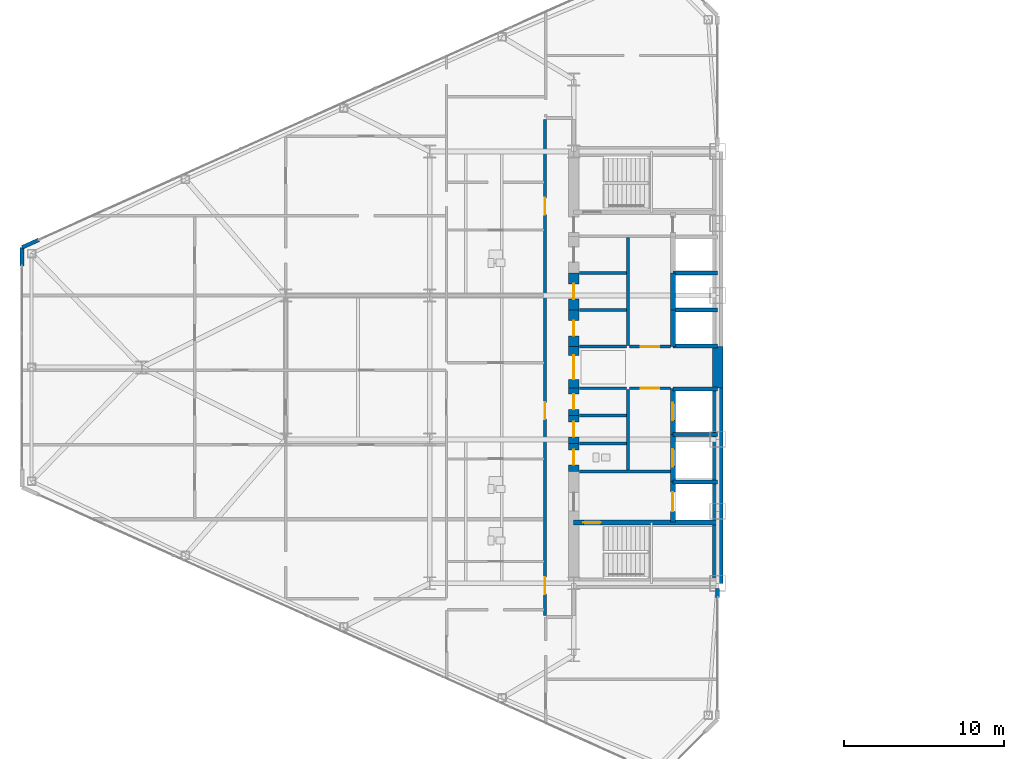
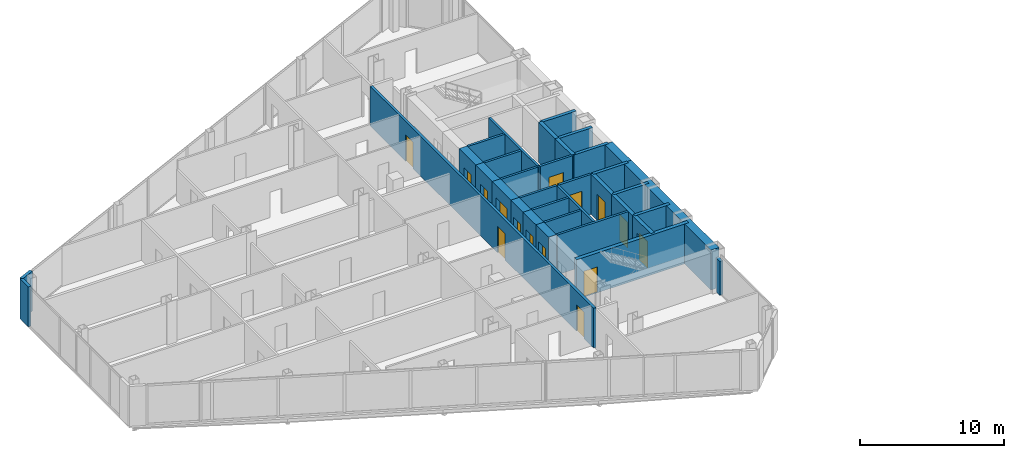
# One storey, part 20 of 27: 35 walls, 15 doors, 15 openings.
"""IFC4 building model written with IfcOpenShell, lengths in metres."""

from ifc_helpers import new_model, si_unit, direction, frame, frame_2d, origin, place, context, subcontext, project, spatial, rectangle, extrude, source, transform, mapped, material, layer, layer_set, type_object, type_shapes, element, fill, save


model = new_model("IFC4")

# Units and contexts
model_context = context("Model", 3, precision=1e-05, world=origin(), true_north=direction((0.0, 1.0)))
body_context = subcontext(model_context, "Body", "Model", "MODEL_VIEW")
ifc_project = project(units=[si_unit("LENGTHUNIT", "METRE"), si_unit("AREAUNIT", "SQUARE_METRE"), si_unit("VOLUMEUNIT", "CUBIC_METRE"), si_unit("PLANEANGLEUNIT", "RADIAN"), si_unit("MASSUNIT", "GRAM", prefix="KILO")], contexts=[model_context])

# Site, building, storey
site_placement = place(None, origin())
site = spatial("IfcSite", under=ifc_project, at=site_placement, CompositionType="ELEMENT")
building_placement = place(site_placement, origin())
building = spatial("IfcBuilding", under=site, at=building_placement, Name="Seokmaru Belvedere", CompositionType="ELEMENT")
storey_placement = place(building_placement, frame((0.0, 0.0, 76.5)))
storey = spatial("IfcBuildingStorey", under=building, at=storey_placement, Name="L20", CompositionType="ELEMENT", Elevation=76.5)

# Walls
ifc_material_1 = material(Name="Fire-Rated Gypsum Shaftwall")
ifc_layer_1 = layer(ifc_material_1, 0.179931640625)
ifc_layer_set_1 = layer_set([ifc_layer_1], Name="Fire-Rated Gypsum Shaftwall")
wall_type_1 = type_object("IfcWallType", Name="Core Service Fire Partition 180", PredefinedType="PARTITIONING", material=ifc_layer_set_1)
wall_1_placement = place(storey_placement, frame((-36.14990234375, -6.5, 0.0), z_axis=(0.0, 0.0, 1.0), x_axis=(1.0, 0.0, 0.0)))
element("IfcWall", 1, at=wall_1_placement, inside=storey, type_object=wall_type_1, Name="L20 West Firefighting Lobby Partition", PredefinedType="PARTITIONING", context=body_context, shape_type="SweptSolid", body=[
    extrude(rectangle(XDim=5.699951171875, YDim=0.179931640625, at=frame_2d((2.85009765625, 0.0))), origin(), (0.0, 0.0, 1.0), 3.3798828125),
])
wall_2_placement = place(storey_placement, frame((-33.10009765625, -6.419921875, 0.0), z_axis=(0.0, 0.0, 1.0), x_axis=(0.0, 1.0, 0.0)))
element("IfcWall", 2, at=wall_2_placement, inside=storey, type_object=wall_type_1, Name="L20 West South Core Service Back Wall", PredefinedType="PARTITIONING", context=body_context, shape_type="SweptSolid", body=[
    extrude(rectangle(XDim=5.0400390625, YDim=0.179931640625, at=frame_2d((2.52001953125, 0.0))), origin(), (0.0, 0.0, 1.0), 3.3798828125),
])
wall_3_placement = place(storey_placement, frame((-33.10009765625, 1.3798828125, 0.0), z_axis=(0.0, 0.0, 1.0), x_axis=(0.0, 1.0, 0.0)))
element("IfcWall", 3, at=wall_3_placement, inside=storey, type_object=wall_type_1, Name="L20 West North Core Service Back Wall", PredefinedType="PARTITIONING", context=body_context, shape_type="SweptSolid", body=[
    extrude(rectangle(XDim=6.740234375, YDim=0.179931640625, at=frame_2d((3.3701171875, 0.0))), origin(), (0.0, 0.0, 1.0), 3.3798828125),
])

# Wall, opening, door
wall_4_placement = place(storey_placement, frame((-33.02001953125, -1.300048828125, 0.0), z_axis=(0.0, 0.0, 1.0), x_axis=(1.0, 0.0, 0.0)))
wall_4 = element("IfcWall", 4, at=wall_4_placement, inside=storey, type_object=wall_type_1, Name="L20 West South Lift Lobby Foyer Wall", PredefinedType="PARTITIONING", context=body_context, shape_type="SweptSolid", body=[
    extrude(rectangle(XDim=2.570068359375, YDim=0.179931640625, at=frame_2d((1.28515625, 0.0))), origin(), (0.0, 0.0, 1.0), 3.3798828125),
])
opening_1_placement = place(wall_4_placement, frame((0.7099609375, 0.0, 0.0)))
opening_1 = element("IfcOpeningElement", 5, at=opening_1_placement, cuts=wall_4, Name="Opening D02", PredefinedType="OPENING", context=body_context, shape_type="SweptSolid", body=[
    extrude(rectangle(XDim=1.14990234375, YDim=2.199951171875, at=frame_2d((0.574951171875, 1.10009765625))), frame((0.0, 0.10009765625, 0.0), z_axis=(0.0, -1.0, 0.0), x_axis=(1.0, 0.0, 0.0)), (0.0, 0.0, 1.0), 0.199951171875),
])
ifc_material_2 = material(Name="Fire-Rated Steel Leaf", Category="steel")
door_type_1 = type_object("IfcDoorType", Name="Lobby and Vestibule Fire Door 1150x2200", OperationType="NOTDEFINED", PredefinedType="DOOR", material=ifc_material_2)
shared_shape_1 = source(origin(), body_context, "Body", "SweptSolid", [
    extrude(rectangle(XDim=1.14990234375, YDim=2.199951171875, at=frame_2d((0.574951171875, 1.10009765625))), frame((0.0, 0.02490234375, 0.0), z_axis=(0.0, -1.0, 0.0), x_axis=(1.0, 0.0, 0.0)), (0.0, 0.0, 1.0), 0.050048828125),
])
type_shapes(door_type_1, [shared_shape_1])
door_1_placement = place(opening_1_placement, origin())
door_1 = element("IfcDoor", 6, at=door_1_placement, inside=storey, type_object=door_type_1, Name="L20 West South Core Foyer Door", OperationType="SINGLE_SWING_LEFT", OverallHeight=2.199951171875, OverallWidth=1.14990234375, PredefinedType="DOOR", context=body_context, shape_type="MappedRepresentation", body=[
    mapped(shared_shape_1, transform((0.0, 0.0, 0.0), scale=1.0)),
])
fill(opening_1, door_1)

wall_5_placement = place(storey_placement, frame((-33.02001953125, 1.300048828125, 0.0), z_axis=(0.0, 0.0, 1.0), x_axis=(1.0, 0.0, 0.0)))
wall_5 = element("IfcWall", 7, at=wall_5_placement, inside=storey, type_object=wall_type_1, Name="L20 West North Lift Lobby Foyer Wall", PredefinedType="PARTITIONING", context=body_context, shape_type="SweptSolid", body=[
    extrude(rectangle(XDim=2.570068359375, YDim=0.179931640625, at=frame_2d((1.28515625, 0.0))), origin(), (0.0, 0.0, 1.0), 3.3798828125),
])
opening_2_placement = place(wall_5_placement, frame((0.7099609375, 0.0, 0.0)))
opening_2 = element("IfcOpeningElement", 8, at=opening_2_placement, cuts=wall_5, Name="Opening D02", PredefinedType="OPENING", context=body_context, shape_type="SweptSolid", body=[
    extrude(rectangle(XDim=1.14990234375, YDim=2.199951171875, at=frame_2d((0.574951171875, 1.10009765625))), frame((0.0, 0.10009765625, 0.0), z_axis=(0.0, -1.0, 0.0), x_axis=(1.0, 0.0, 0.0)), (0.0, 0.0, 1.0), 0.199951171875),
])
door_2_placement = place(opening_2_placement, origin())
door_2 = element("IfcDoor", 9, at=door_2_placement, inside=storey, type_object=door_type_1, Name="L20 West North Lift Lobby Door", OperationType="SINGLE_SWING_RIGHT", OverallHeight=2.199951171875, OverallWidth=1.14990234375, PredefinedType="DOOR", context=body_context, shape_type="MappedRepresentation", body=[
    mapped(shared_shape_1, transform((0.0, 0.0, 0.0), scale=1.0)),
])
fill(opening_2, door_2)

# Walls
for number, where, z_axis, x_axis, name in (
    (10, (-36.14990234375, -1.300048828125, 0.0), (0.0, 0.0, 1.0), (1.0, 0.0, 0.0), "L20 West Foyer Side Wall S"),
    (11, (-36.14990234375, 1.300048828125, 0.0), (0.0, 0.0, 1.0), (1.0, 0.0, 0.0), "L20 West Foyer Side Wall N"),
    (12, (-36.14990234375, -4.75, 0.0), (0.0, 0.0, 1.0), (1.0, 0.0, 0.0), "L20 West Core Service Partition 1"),
    (13, (-36.14990234375, -3.0, 0.0), (0.0, 0.0, 1.0), (1.0, 0.0, 0.0), "L20 West Core Service Partition 2"),
    (14, (-36.14990234375, 3.60009765625, 0.0), (0.0, 0.0, 1.0), (1.0, 0.0, 0.0), "L20 West Core Service Partition 3"),
    (15, (-36.14990234375, 5.89990234375, 0.0), (0.0, 0.0, 1.0), (1.0, 0.0, 0.0), "L20 West Core Service Partition 4"),
):
    element("IfcWall", number, at=place(storey_placement, frame(where, z_axis=z_axis, x_axis=x_axis)), inside=storey, type_object=wall_type_1, Name=name, PredefinedType="PARTITIONING", context=body_context, shape_type="SweptSolid", body=[
        extrude(rectangle(XDim=2.949951171875, YDim=0.179931640625, at=frame_2d((1.47509765625, 0.0))), origin(), (0.0, 0.0, 1.0), 3.3798828125),
    ])
ifc_material_3 = material(Name="Concrete C50 (50 MPa)", Category="concrete")
ifc_layer_2 = layer(ifc_material_3, 0.25)
ifc_layer_set_2 = layer_set([ifc_layer_2], Name="Concrete C50 (50 MPa)")
wall_type_2 = type_object("IfcWallType", Name="Hoistway Transverse Concrete Divider Wall 250", PredefinedType="SHEAR", material=ifc_layer_set_2)
for number, where, z_axis, x_axis, name in (
    (16, (-30.300048828125, -7.14990234375, 0.0), (0.0, 0.0, 1.0), (1.0, 0.0, 0.0), "L20 West Hoistway Divider Core Wall 1"),
    (17, (-30.300048828125, -4.199951171875, 0.0), (0.0, 0.0, 1.0), (1.0, 0.0, 0.0), "L20 West Hoistway Divider Core Wall 2"),
    (18, (-30.300048828125, -1.35009765625, 0.0), (0.0, 0.0, 1.0), (1.0, 0.0, 0.0), "L20 West Hoistway Divider Core Wall 3"),
    (19, (-30.300048828125, 1.35009765625, 0.0), (0.0, 0.0, 1.0), (1.0, 0.0, 0.0), "L20 West Hoistway Divider Core Wall 4"),
    (20, (-30.300048828125, 3.60009765625, 0.0), (0.0, 0.0, 1.0), (1.0, 0.0, 0.0), "L20 West Hoistway Divider Core Wall 5"),
    (21, (-30.300048828125, 5.89990234375, 0.0), (0.0, 0.0, 1.0), (1.0, 0.0, 0.0), "L20 West Hoistway Divider Core Wall 6"),
):
    element("IfcWall", number, at=place(storey_placement, frame(where, z_axis=z_axis, x_axis=x_axis)), inside=storey, type_object=wall_type_2, Name=name, PredefinedType="SHEAR", context=body_context, shape_type="SweptSolid", body=[
        extrude(rectangle(XDim=2.800048828125, YDim=0.25, at=frame_2d((1.39990234375, 0.0))), origin(), (0.0, 0.0, 1.0), 3.3798828125),
    ])

# Wall, openings, doors
ifc_layer_3 = layer(ifc_material_1, 0.199951171875)
ifc_layer_set_3 = layer_set([ifc_layer_3], Name="Fire-Rated Gypsum Shaftwall")
wall_type_3 = type_object("IfcWallType", Name="Inter-Tenancy Fire Compartment Partition 200", PredefinedType="PARTITIONING", material=ifc_layer_set_3)
wall_6_placement = place(storey_placement, frame((-38.300048828125, -15.514892578125, 0.0), z_axis=(0.0, 0.0, 1.0), x_axis=(0.0, 1.0, 0.0)))
wall_6 = element("IfcWall", 22, at=wall_6_placement, inside=storey, type_object=wall_type_3, Name="L20 Interior Partition 038", PredefinedType="PARTITIONING", context=body_context, shape_type="SweptSolid", body=[
    extrude(rectangle(XDim=31.02978515625, YDim=0.199951171875, at=frame_2d((15.514892578125, 0.0))), origin(), (0.0, 0.0, 1.0), 3.3798828125),
])
opening_3_placement = place(wall_6_placement, frame((1.344970703125, 0.0, 0.0)))
opening_3 = element("IfcOpeningElement", 23, at=opening_3_placement, cuts=wall_6, Name="Opening D03", PredefinedType="OPENING", context=body_context, shape_type="SweptSolid", body=[
    extrude(rectangle(XDim=1.050048828125, YDim=2.25, at=frame_2d((0.52490234375, 1.125))), frame((0.0, 0.10986328125, 0.0), z_axis=(0.0, -1.0, 0.0), x_axis=(1.0, 0.0, 0.0)), (0.0, 0.0, 1.0), 0.219970703125),
])
opening_4_placement = place(wall_6_placement, frame((12.280029296875, 0.0, 0.0)))
opening_4 = element("IfcOpeningElement", 24, at=opening_4_placement, cuts=wall_6, Name="Opening D03", PredefinedType="OPENING", context=body_context, shape_type="SweptSolid", body=[
    extrude(rectangle(XDim=1.050048828125, YDim=2.25, at=frame_2d((0.52490234375, 1.125))), frame((0.0, 0.10986328125, 0.0), z_axis=(0.0, -1.0, 0.0), x_axis=(1.0, 0.0, 0.0)), (0.0, 0.0, 1.0), 0.219970703125),
])
opening_5_placement = place(wall_6_placement, frame((25.0673828125, 0.0, 0.0)))
opening_5 = element("IfcOpeningElement", 25, at=opening_5_placement, cuts=wall_6, Name="Opening D03", PredefinedType="OPENING", context=body_context, shape_type="SweptSolid", body=[
    extrude(rectangle(XDim=1.050048828125, YDim=2.25, at=frame_2d((0.52490234375, 1.125))), frame((0.0, 0.10986328125, 0.0), z_axis=(0.0, -1.0, 0.0), x_axis=(1.0, 0.0, 0.0)), (0.0, 0.0, 1.0), 0.219970703125),
])
door_type_2 = type_object("IfcDoorType", Name="Apartment Entrance Fire Door 1050x2250", OperationType="NOTDEFINED", PredefinedType="DOOR", material=ifc_material_2)
shared_shape_2 = source(origin(), body_context, "Body", "SweptSolid", [
    extrude(rectangle(XDim=1.050048828125, YDim=2.25, at=frame_2d((0.52490234375, 1.125))), frame((0.0, 0.02490234375, 0.0), z_axis=(0.0, -1.0, 0.0), x_axis=(1.0, 0.0, 0.0)), (0.0, 0.0, 1.0), 0.050048828125),
])
type_shapes(door_type_2, [shared_shape_2])
door_3_placement = place(opening_3_placement, origin())
door_3 = element("IfcDoor", 26, at=door_3_placement, inside=storey, type_object=door_type_2, Name="L20 Interior Door 001", OperationType="SINGLE_SWING_RIGHT", OverallHeight=2.25, OverallWidth=1.050048828125, PredefinedType="DOOR", context=body_context, shape_type="MappedRepresentation", body=[
    mapped(shared_shape_2, transform((0.0, 0.0, 0.0), scale=1.0)),
])
fill(opening_3, door_3)
door_4_placement = place(opening_4_placement, origin())
door_4 = element("IfcDoor", 27, at=door_4_placement, inside=storey, type_object=door_type_2, Name="L20 Interior Door 009", OperationType="SINGLE_SWING_LEFT", OverallHeight=2.25, OverallWidth=1.050048828125, PredefinedType="DOOR", context=body_context, shape_type="MappedRepresentation", body=[
    mapped(shared_shape_2, transform((0.0, 0.0, 0.0), scale=1.0)),
])
fill(opening_4, door_4)
door_5_placement = place(opening_5_placement, origin())
door_5 = element("IfcDoor", 28, at=door_5_placement, inside=storey, type_object=door_type_2, Name="L20 Interior Door 021", OperationType="SINGLE_SWING_RIGHT", OverallHeight=2.25, OverallWidth=1.050048828125, PredefinedType="DOOR", context=body_context, shape_type="MappedRepresentation", body=[
    mapped(shared_shape_2, transform((0.0, 0.0, 0.0), scale=1.0)),
])
fill(opening_5, door_5)

# Wall, opening, door
ifc_layer_4 = layer(ifc_material_3, 0.300048828125)
ifc_layer_set_4 = layer_set([ifc_layer_4], Name="Concrete C50 (50 MPa)")
wall_type_4 = type_object("IfcWallType", Name="Internal Core Stair and Hoistway Wall 300", PredefinedType="SHEAR", material=ifc_layer_set_4)
wall_7_placement = place(storey_placement, frame((-36.5, -9.699951171875, 0.0), z_axis=(0.0, 0.0, 1.0), x_axis=(1.0, 0.0, 0.0)))
wall_7 = element("IfcWall", 29, at=wall_7_placement, inside=storey, type_object=wall_type_4, Name="L20 West Stair ST-1 Enclosure Wall", PredefinedType="SHEAR", context=body_context, shape_type="SweptSolid", body=[
    extrude(rectangle(XDim=9.0, YDim=0.300048828125, at=frame_2d((4.5, 0.0))), origin(), (0.0, 0.0, 1.0), 3.3798828125),
])
opening_6_placement = place(wall_7_placement, frame((0.60009765625, 0.0, 0.0)))
opening_6 = element("IfcOpeningElement", 30, at=opening_6_placement, cuts=wall_7, Name="Opening D01", PredefinedType="OPENING", context=body_context, shape_type="SweptSolid", body=[
    extrude(rectangle(XDim=1.10009765625, YDim=2.199951171875, at=frame_2d((0.550048828125, 1.10009765625))), frame((0.0, 0.16015625, 0.0), z_axis=(0.0, -1.0, 0.0), x_axis=(1.0, 0.0, 0.0)), (0.0, 0.0, 1.0), 0.320068359375),
])
door_type_3 = type_object("IfcDoorType", Name="Special Escape Stair Smokeproof Fire Door 1100x2200", OperationType="NOTDEFINED", PredefinedType="DOOR", material=ifc_material_2)
shared_shape_3 = source(origin(), body_context, "Body", "SweptSolid", [
    extrude(rectangle(XDim=1.10009765625, YDim=2.199951171875, at=frame_2d((0.550048828125, 1.10009765625))), frame((0.0, 0.02490234375, 0.0), z_axis=(0.0, -1.0, 0.0), x_axis=(1.0, 0.0, 0.0)), (0.0, 0.0, 1.0), 0.050048828125),
])
type_shapes(door_type_3, [shared_shape_3])
door_6_placement = place(opening_6_placement, frame((1.10009765625, 0.0, 0.0), z_axis=(0.0, 0.0, 1.0), x_axis=(-1.0, 0.0, 0.0)))
door_6 = element("IfcDoor", 31, at=door_6_placement, inside=storey, type_object=door_type_3, Name="L20 West Special Escape Stair ST-1 Door", OperationType="SINGLE_SWING_LEFT", OverallHeight=2.199951171875, OverallWidth=1.10009765625, PredefinedType="DOOR", context=body_context, shape_type="MappedRepresentation", body=[
    mapped(shared_shape_3, transform((0.0, 0.0, 0.0), scale=1.0)),
])
fill(opening_6, door_6)

wall_8_placement = place(storey_placement, frame((-30.300048828125, -9.679931640625, 0.0), z_axis=(0.0, 0.0, 1.0), x_axis=(0.0, 1.0, 0.0)))
wall_8 = element("IfcWall", 32, at=wall_8_placement, inside=storey, type_object=wall_type_4, Name="L20 West Firefighting Lift Shaft Front Wall", PredefinedType="SHEAR", context=body_context, shape_type="SweptSolid", body=[
    extrude(rectangle(XDim=2.559814453125, YDim=0.300048828125, at=frame_2d((1.27978515625, 0.0))), origin(), (0.0, 0.0, 1.0), 3.3798828125),
])
opening_7_placement = place(wall_8_placement, frame((0.679931640625, 0.0, 0.0)))
opening_7 = element("IfcOpeningElement", 33, at=opening_7_placement, cuts=wall_8, Name="Opening LD2", PredefinedType="OPENING", context=body_context, shape_type="SweptSolid", body=[
    extrude(rectangle(XDim=1.199951171875, YDim=2.25, at=frame_2d((0.60009765625, 1.125))), frame((0.0, 0.16015625, 0.0), z_axis=(0.0, -1.0, 0.0), x_axis=(1.0, 0.0, 0.0)), (0.0, 0.0, 1.0), 0.320068359375),
])
ifc_material_4 = material(Name="Stainless Steel 316", Category="steel")
door_type_4 = type_object("IfcDoorType", Name="Firefighting Lift Sliding Landing Door 1200x2250", OperationType="DOUBLE_DOOR_SLIDING", PredefinedType="DOOR", material=ifc_material_4)
shared_shape_4 = source(origin(), body_context, "Body", "SweptSolid", [
    extrude(rectangle(XDim=1.199951171875, YDim=2.25, at=frame_2d((0.60009765625, 1.125))), frame((0.0, 0.02490234375, 0.0), z_axis=(0.0, -1.0, 0.0), x_axis=(1.0, 0.0, 0.0)), (0.0, 0.0, 1.0), 0.050048828125),
])
type_shapes(door_type_4, [shared_shape_4])
door_7_placement = place(opening_7_placement, origin())
door_7 = element("IfcDoor", 34, at=door_7_placement, inside=storey, type_object=door_type_4, Name="L20 West Firefighting Lift Landing Door", OperationType="DOUBLE_DOOR_SLIDING", OverallHeight=2.25, OverallWidth=1.199951171875, PredefinedType="DOOR", context=body_context, shape_type="MappedRepresentation", body=[
    mapped(shared_shape_4, transform((0.0, 0.0, 0.0), scale=1.0)),
])
fill(opening_7, door_7)

wall_9_placement = place(storey_placement, frame((-30.300048828125, -7.1201171875, 0.0), z_axis=(0.0, 0.0, 1.0), x_axis=(0.0, 1.0, 0.0)))
wall_9 = element("IfcWall", 35, at=wall_9_placement, inside=storey, type_object=wall_type_4, Name="L20 West Low-Rise Lift PL-1 Front Wall", PredefinedType="SHEAR", context=body_context, shape_type="SweptSolid", body=[
    extrude(rectangle(XDim=2.920166015625, YDim=0.300048828125, at=frame_2d((1.4599609375, 0.0))), origin(), (0.0, 0.0, 1.0), 3.3798828125),
])
opening_8_placement = place(wall_9_placement, frame((0.909912109375, 0.0, 0.0)))
opening_8 = element("IfcOpeningElement", 36, at=opening_8_placement, cuts=wall_9, Name="Opening LD1", PredefinedType="OPENING", context=body_context, shape_type="SweptSolid", body=[
    extrude(rectangle(XDim=1.10009765625, YDim=2.199951171875, at=frame_2d((0.550048828125, 1.10009765625))), frame((0.0, 0.16015625, 0.0), z_axis=(0.0, -1.0, 0.0), x_axis=(1.0, 0.0, 0.0)), (0.0, 0.0, 1.0), 0.320068359375),
])
door_type_5 = type_object("IfcDoorType", Name="Passenger Lift Sliding Landing Door 1100x2200", OperationType="DOUBLE_DOOR_SLIDING", PredefinedType="DOOR", material=ifc_material_4)
shared_shape_5 = source(origin(), body_context, "Body", "SweptSolid", [
    extrude(rectangle(XDim=1.10009765625, YDim=2.199951171875, at=frame_2d((0.550048828125, 1.10009765625))), frame((0.0, 0.02490234375, 0.0), z_axis=(0.0, -1.0, 0.0), x_axis=(1.0, 0.0, 0.0)), (0.0, 0.0, 1.0), 0.050048828125),
])
type_shapes(door_type_5, [shared_shape_5])
door_8_placement = place(opening_8_placement, origin())
door_8 = element("IfcDoor", 37, at=door_8_placement, inside=storey, type_object=door_type_5, Name="L20 West Low-Rise Lift PL-1 Landing Door", OperationType="DOUBLE_DOOR_SLIDING", OverallHeight=2.199951171875, OverallWidth=1.10009765625, PredefinedType="DOOR", context=body_context, shape_type="MappedRepresentation", body=[
    mapped(shared_shape_5, transform((0.0, 0.0, 0.0), scale=1.0)),
])
fill(opening_8, door_8)

wall_10_placement = place(storey_placement, frame((-30.300048828125, -4.199951171875, 0.0), z_axis=(0.0, 0.0, 1.0), x_axis=(0.0, 1.0, 0.0)))
wall_10 = element("IfcWall", 38, at=wall_10_placement, inside=storey, type_object=wall_type_4, Name="L20 West Low-Rise Lift PL-2 Front Wall", PredefinedType="SHEAR", context=body_context, shape_type="SweptSolid", body=[
    extrude(rectangle(XDim=2.8798828125, YDim=0.300048828125, at=frame_2d((1.43994140625, 0.0))), origin(), (0.0, 0.0, 1.0), 3.3798828125),
])
opening_9_placement = place(wall_10_placement, frame((0.889892578125, 0.0, 0.0)))
opening_9 = element("IfcOpeningElement", 39, at=opening_9_placement, cuts=wall_10, Name="Opening LD1", PredefinedType="OPENING", context=body_context, shape_type="SweptSolid", body=[
    extrude(rectangle(XDim=1.10009765625, YDim=2.199951171875, at=frame_2d((0.550048828125, 1.10009765625))), frame((0.0, 0.16015625, 0.0), z_axis=(0.0, -1.0, 0.0), x_axis=(1.0, 0.0, 0.0)), (0.0, 0.0, 1.0), 0.320068359375),
])
door_9_placement = place(opening_9_placement, origin())
door_9 = element("IfcDoor", 40, at=door_9_placement, inside=storey, type_object=door_type_5, Name="L20 West Low-Rise Lift PL-2 Landing Door", OperationType="DOUBLE_DOOR_SLIDING", OverallHeight=2.199951171875, OverallWidth=1.10009765625, PredefinedType="DOOR", context=body_context, shape_type="MappedRepresentation", body=[
    mapped(shared_shape_5, transform((0.0, 0.0, 0.0), scale=1.0)),
])
fill(opening_9, door_9)

# Walls
wall_11_placement = place(storey_placement, frame((-30.300048828125, 1.320068359375, 0.0), z_axis=(0.0, 0.0, 1.0), x_axis=(0.0, 1.0, 0.0)))
element("IfcWall", 41, at=wall_11_placement, inside=storey, type_object=wall_type_4, Name="L20 West North Hoistway Wall PH1", PredefinedType="SHEAR", context=body_context, shape_type="SweptSolid", body=[
    extrude(rectangle(XDim=2.280029296875, YDim=0.300048828125, at=frame_2d((1.14013671875, 0.0))), origin(), (0.0, 0.0, 1.0), 3.3798828125),
])
wall_12_placement = place(storey_placement, frame((-30.300048828125, 3.60009765625, 0.0), z_axis=(0.0, 0.0, 1.0), x_axis=(0.0, 1.0, 0.0)))
element("IfcWall", 42, at=wall_12_placement, inside=storey, type_object=wall_type_4, Name="L20 West North Hoistway Wall PH2", PredefinedType="SHEAR", context=body_context, shape_type="SweptSolid", body=[
    extrude(rectangle(XDim=2.2998046875, YDim=0.300048828125, at=frame_2d((1.14990234375, 0.0))), origin(), (0.0, 0.0, 1.0), 3.3798828125),
])
ifc_material_5 = material(Name="Concrete C60 (60 MPa)", Category="concrete")
ifc_layer_5 = layer(ifc_material_5, 0.64990234375)
ifc_layer_set_5 = layer_set([ifc_layer_5], Name="Concrete C60 (60 MPa)")
wall_type_5 = type_object("IfcWallType", Name="Mid-Low Reinforced Concrete Core Wall 650", PredefinedType="SHEAR", material=ifc_layer_set_5)
wall_13_placement = place(storey_placement, frame((-27.5, -13.5, 0.0), z_axis=(0.0, 0.0, 1.0), x_axis=(0.0, 1.0, 0.0)))
element("IfcWall", 43, at=wall_13_placement, inside=storey, type_object=wall_type_5, Name="L20 West Portal Spine Core Wall South", PredefinedType="SHEAR", context=body_context, shape_type="SweptSolid", body=[
    extrude(rectangle(XDim=12.199951171875, YDim=0.64990234375, at=frame_2d((6.10009765625, 0.0))), origin(), (0.0, 0.0, 1.0), 3.3798828125),
])
wall_14_placement = place(storey_placement, frame((-27.5, -1.300048828125, 0.0), z_axis=(0.0, 0.0, 1.0), x_axis=(0.0, 1.0, 0.0)))
element("IfcWall", 44, at=wall_14_placement, inside=storey, type_object=wall_type_5, Name="L20 West Portal Spine Core Wall Center", PredefinedType="SHEAR", context=body_context, shape_type="SweptSolid", body=[
    extrude(rectangle(XDim=2.60009765625, YDim=0.64990234375, at=frame_2d((1.300048828125, 0.0))), origin(), (0.0, 0.0, 1.0), 3.3798828125),
])

# Wall, opening, door
wall_15_placement = place(storey_placement, frame((-36.5, -1.300048828125, 0.0), z_axis=(0.0, 0.0, 1.0), x_axis=(0.0, 1.0, 0.0)))
wall_15 = element("IfcWall", 45, at=wall_15_placement, inside=storey, type_object=wall_type_5, Name="L20 West West Core Wall FOY", PredefinedType="SHEAR", context=body_context, shape_type="SweptSolid", body=[
    extrude(rectangle(XDim=2.60009765625, YDim=0.64990234375, at=frame_2d((1.300048828125, 0.0))), origin(), (0.0, 0.0, 1.0), 3.3798828125),
])
opening_10_placement = place(wall_15_placement, frame((0.550048828125, 0.0, 0.0)))
opening_10 = element("IfcOpeningElement", 46, at=opening_10_placement, cuts=wall_15, Name="Opening D08", PredefinedType="OPENING", context=body_context, shape_type="SweptSolid", body=[
    extrude(rectangle(XDim=1.5, YDim=2.300048828125, at=frame_2d((0.75, 1.14990234375))), frame((0.0, 0.3349609375, 0.0), z_axis=(0.0, -1.0, 0.0), x_axis=(1.0, 0.0, 0.0)), (0.0, 0.0, 1.0), 0.669921875),
])
door_type_6 = type_object("IfcDoorType", Name="Cross-Corridor Compartment Double Fire Door 1500x2300", OperationType="DOUBLE_SWING_LEFT", PredefinedType="DOOR", material=ifc_material_2)
shared_shape_6 = source(origin(), body_context, "Body", "SweptSolid", [
    extrude(rectangle(XDim=1.5, YDim=2.300048828125, at=frame_2d((0.75, 1.14990234375))), frame((0.0, 0.02490234375, 0.0), z_axis=(0.0, -1.0, 0.0), x_axis=(1.0, 0.0, 0.0)), (0.0, 0.0, 1.0), 0.050048828125),
])
type_shapes(door_type_6, [shared_shape_6])
door_10_placement = place(opening_10_placement, origin())
door_10 = element("IfcDoor", 47, at=door_10_placement, inside=storey, type_object=door_type_6, Name="L20 West Core Foyer Compartment Door", OperationType="DOUBLE_SWING_LEFT", OverallHeight=2.300048828125, OverallWidth=1.5, PredefinedType="DOOR", context=body_context, shape_type="MappedRepresentation", body=[
    mapped(shared_shape_6, transform((0.0, 0.0, 0.0), scale=1.0)),
])
fill(opening_10, door_10)

wall_16_placement = place(storey_placement, frame((-36.5, -6.5, 0.0), z_axis=(0.0, 0.0, 1.0), x_axis=(0.0, 1.0, 0.0)))
wall_16 = element("IfcWall", 48, at=wall_16_placement, inside=storey, type_object=wall_type_5, Name="L20 West West Core Wall CS1", PredefinedType="SHEAR", context=body_context, shape_type="SweptSolid", body=[
    extrude(rectangle(XDim=1.75, YDim=0.64990234375, at=frame_2d((0.875, 0.0))), origin(), (0.0, 0.0, 1.0), 3.3798828125),
])
opening_11_placement = place(wall_16_placement, frame((0.39990234375, 0.0, 0.0)))
opening_11 = element("IfcOpeningElement", 49, at=opening_11_placement, cuts=wall_16, Name="Opening D04", PredefinedType="OPENING", context=body_context, shape_type="SweptSolid", body=[
    extrude(rectangle(XDim=0.949951171875, YDim=2.14990234375, at=frame_2d((0.47509765625, 1.074951171875))), frame((0.0, 0.3349609375, 0.0), z_axis=(0.0, -1.0, 0.0), x_axis=(1.0, 0.0, 0.0)), (0.0, 0.0, 1.0), 0.669921875),
])
door_type_7 = type_object("IfcDoorType", Name="Core Service Room Fire Door 950x2150", OperationType="NOTDEFINED", PredefinedType="DOOR", material=ifc_material_2)
shared_shape_7 = source(origin(), body_context, "Body", "SweptSolid", [
    extrude(rectangle(XDim=0.949951171875, YDim=2.14990234375, at=frame_2d((0.47509765625, 1.074951171875))), frame((0.0, 0.02490234375, 0.0), z_axis=(0.0, -1.0, 0.0), x_axis=(1.0, 0.0, 0.0)), (0.0, 0.0, 1.0), 0.050048828125),
])
type_shapes(door_type_7, [shared_shape_7])
door_11_placement = place(opening_11_placement, origin())
door_11 = element("IfcDoor", 50, at=door_11_placement, inside=storey, type_object=door_type_7, Name="L20 West Core Service Room Door 1", OperationType="SINGLE_SWING_LEFT", OverallHeight=2.14990234375, OverallWidth=0.949951171875, PredefinedType="DOOR", context=body_context, shape_type="MappedRepresentation", body=[
    mapped(shared_shape_7, transform((0.0, 0.0, 0.0), scale=1.0)),
])
fill(opening_11, door_11)

wall_17_placement = place(storey_placement, frame((-36.5, -4.75, 0.0), z_axis=(0.0, 0.0, 1.0), x_axis=(0.0, 1.0, 0.0)))
wall_17 = element("IfcWall", 51, at=wall_17_placement, inside=storey, type_object=wall_type_5, Name="L20 West West Core Wall CS2", PredefinedType="SHEAR", context=body_context, shape_type="SweptSolid", body=[
    extrude(rectangle(XDim=1.75, YDim=0.64990234375, at=frame_2d((0.875, 0.0))), origin(), (0.0, 0.0, 1.0), 3.3798828125),
])
opening_12_placement = place(wall_17_placement, frame((0.39990234375, 0.0, 0.0)))
opening_12 = element("IfcOpeningElement", 52, at=opening_12_placement, cuts=wall_17, Name="Opening D04", PredefinedType="OPENING", context=body_context, shape_type="SweptSolid", body=[
    extrude(rectangle(XDim=0.949951171875, YDim=2.14990234375, at=frame_2d((0.47509765625, 1.074951171875))), frame((0.0, 0.3349609375, 0.0), z_axis=(0.0, -1.0, 0.0), x_axis=(1.0, 0.0, 0.0)), (0.0, 0.0, 1.0), 0.669921875),
])
door_12_placement = place(opening_12_placement, origin())
door_12 = element("IfcDoor", 53, at=door_12_placement, inside=storey, type_object=door_type_7, Name="L20 West Core Service Room Door 2", OperationType="SINGLE_SWING_RIGHT", OverallHeight=2.14990234375, OverallWidth=0.949951171875, PredefinedType="DOOR", context=body_context, shape_type="MappedRepresentation", body=[
    mapped(shared_shape_7, transform((0.0, 0.0, 0.0), scale=1.0)),
])
fill(opening_12, door_12)

wall_18_placement = place(storey_placement, frame((-36.5, -3.0, 0.0), z_axis=(0.0, 0.0, 1.0), x_axis=(0.0, 1.0, 0.0)))
wall_18 = element("IfcWall", 54, at=wall_18_placement, inside=storey, type_object=wall_type_5, Name="L20 West West Core Wall CS3", PredefinedType="SHEAR", context=body_context, shape_type="SweptSolid", body=[
    extrude(rectangle(XDim=1.699951171875, YDim=0.64990234375, at=frame_2d((0.85009765625, 0.0))), origin(), (0.0, 0.0, 1.0), 3.3798828125),
])
opening_13_placement = place(wall_18_placement, frame((0.375, 0.0, 0.0)))
opening_13 = element("IfcOpeningElement", 55, at=opening_13_placement, cuts=wall_18, Name="Opening D04", PredefinedType="OPENING", context=body_context, shape_type="SweptSolid", body=[
    extrude(rectangle(XDim=0.949951171875, YDim=2.14990234375, at=frame_2d((0.47509765625, 1.074951171875))), frame((0.0, 0.3349609375, 0.0), z_axis=(0.0, -1.0, 0.0), x_axis=(1.0, 0.0, 0.0)), (0.0, 0.0, 1.0), 0.669921875),
])
door_13_placement = place(opening_13_placement, origin())
door_13 = element("IfcDoor", 56, at=door_13_placement, inside=storey, type_object=door_type_7, Name="L20 West Core Service Room Door 3", OperationType="SINGLE_SWING_LEFT", OverallHeight=2.14990234375, OverallWidth=0.949951171875, PredefinedType="DOOR", context=body_context, shape_type="MappedRepresentation", body=[
    mapped(shared_shape_7, transform((0.0, 0.0, 0.0), scale=1.0)),
])
fill(opening_13, door_13)

wall_19_placement = place(storey_placement, frame((-36.5, 1.300048828125, 0.0), z_axis=(0.0, 0.0, 1.0), x_axis=(0.0, 1.0, 0.0)))
wall_19 = element("IfcWall", 57, at=wall_19_placement, inside=storey, type_object=wall_type_5, Name="L20 West West Core Wall CS4", PredefinedType="SHEAR", context=body_context, shape_type="SweptSolid", body=[
    extrude(rectangle(XDim=2.300048828125, YDim=0.64990234375, at=frame_2d((1.14990234375, 0.0))), origin(), (0.0, 0.0, 1.0), 3.3798828125),
])
opening_14_placement = place(wall_19_placement, frame((0.675048828125, 0.0, 0.0)))
opening_14 = element("IfcOpeningElement", 58, at=opening_14_placement, cuts=wall_19, Name="Opening D04", PredefinedType="OPENING", context=body_context, shape_type="SweptSolid", body=[
    extrude(rectangle(XDim=0.949951171875, YDim=2.14990234375, at=frame_2d((0.47509765625, 1.074951171875))), frame((0.0, 0.3349609375, 0.0), z_axis=(0.0, -1.0, 0.0), x_axis=(1.0, 0.0, 0.0)), (0.0, 0.0, 1.0), 0.669921875),
])
door_14_placement = place(opening_14_placement, origin())
door_14 = element("IfcDoor", 59, at=door_14_placement, inside=storey, type_object=door_type_7, Name="L20 West Core Service Room Door 4", OperationType="SINGLE_SWING_RIGHT", OverallHeight=2.14990234375, OverallWidth=0.949951171875, PredefinedType="DOOR", context=body_context, shape_type="MappedRepresentation", body=[
    mapped(shared_shape_7, transform((0.0, 0.0, 0.0), scale=1.0)),
])
fill(opening_14, door_14)

wall_20_placement = place(storey_placement, frame((-36.5, 3.60009765625, 0.0), z_axis=(0.0, 0.0, 1.0), x_axis=(0.0, 1.0, 0.0)))
wall_20 = element("IfcWall", 60, at=wall_20_placement, inside=storey, type_object=wall_type_5, Name="L20 West West Core Wall CS5", PredefinedType="SHEAR", context=body_context, shape_type="SweptSolid", body=[
    extrude(rectangle(XDim=2.2998046875, YDim=0.64990234375, at=frame_2d((1.14990234375, 0.0))), origin(), (0.0, 0.0, 1.0), 3.3798828125),
])
opening_15_placement = place(wall_20_placement, frame((0.675048828125, 0.0, 0.0)))
opening_15 = element("IfcOpeningElement", 61, at=opening_15_placement, cuts=wall_20, Name="Opening D04", PredefinedType="OPENING", context=body_context, shape_type="SweptSolid", body=[
    extrude(rectangle(XDim=0.949951171875, YDim=2.14990234375, at=frame_2d((0.47509765625, 1.074951171875))), frame((0.0, 0.3349609375, 0.0), z_axis=(0.0, -1.0, 0.0), x_axis=(1.0, 0.0, 0.0)), (0.0, 0.0, 1.0), 0.669921875),
])
door_15_placement = place(opening_15_placement, origin())
door_15 = element("IfcDoor", 62, at=door_15_placement, inside=storey, type_object=door_type_7, Name="L20 West Core Service Room Door 5", OperationType="SINGLE_SWING_LEFT", OverallHeight=2.14990234375, OverallWidth=0.949951171875, PredefinedType="DOOR", context=body_context, shape_type="MappedRepresentation", body=[
    mapped(shared_shape_7, transform((0.0, 0.0, 0.0), scale=1.0)),
])
fill(opening_15, door_15)

# Walls
ifc_material_6 = material(Name="Anodised Bronze Aluminium", Category="aluminium")
ifc_layer_6 = layer(ifc_material_6, 0.239990234375)
ifc_layer_set_6 = layer_set([ifc_layer_6], Name="Anodised Bronze Aluminium")
wall_type_6 = type_object("IfcWallType", Name="Tower Corner Spandrel Closure Wall 240", PredefinedType="SOLIDWALL", material=ifc_layer_set_6)
wall_21_placement = place(storey_placement, frame((-27.5, -14.3798828125, 0.0), z_axis=(0.0, 0.0, 1.0), x_axis=(0.0, 1.0, 0.0)))
element("IfcWall", 63, at=wall_21_placement, inside=storey, type_object=wall_type_6, Name="L20 W Spine Closure Pier 1B", PredefinedType="SOLIDWALL", context=body_context, shape_type="SweptSolid", body=[
    extrude(rectangle(XDim=0.5498046875, YDim=0.239990234375, at=frame_2d((0.27490234375, 0.0))), origin(), (0.0, 0.0, 1.0), 2.8798828125),
])
for number, where, z_axis, x_axis, name in (
    (64, (-69.951416015625, 7.971923828125, 0.0), (0.0, 0.0, 1.0), (-0.911929519623, -0.410346866979, 0.0), "L20 W Corner Closure Pier 3B"),
    (65, (-71.0, 7.489990234375, 0.0), (0.0, 0.0, 1.0), (0.0, -1.0, 0.0), "L20 W Corner Closure Pier 4A"),
):
    element("IfcWall", number, at=place(storey_placement, frame(where, z_axis=z_axis, x_axis=x_axis)), inside=storey, type_object=wall_type_6, Name=name, PredefinedType="SOLIDWALL", context=body_context, shape_type="SweptSolid", body=[
        extrude(rectangle(XDim=1.139892578125, YDim=0.239990234375, at=frame_2d((0.56982421875, 0.0))), origin(), (0.0, 0.0, 1.0), 3.3798828125),
    ])

save(model, "model.ifc")
